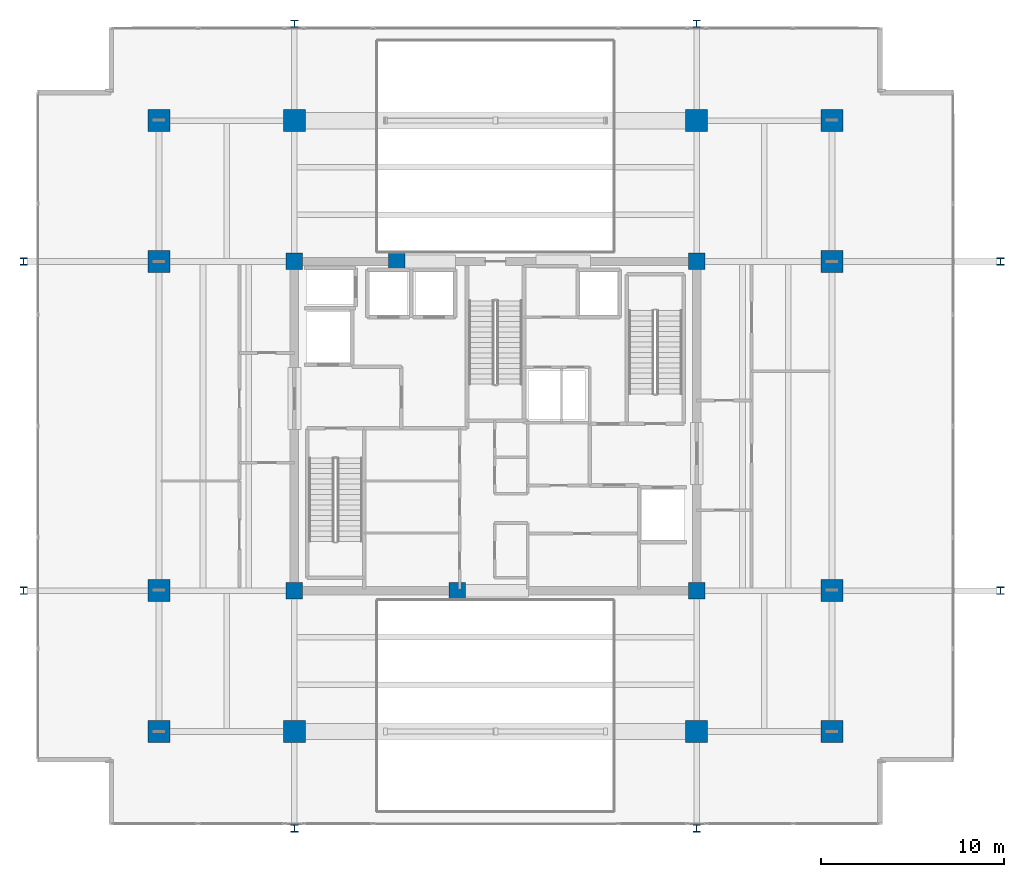
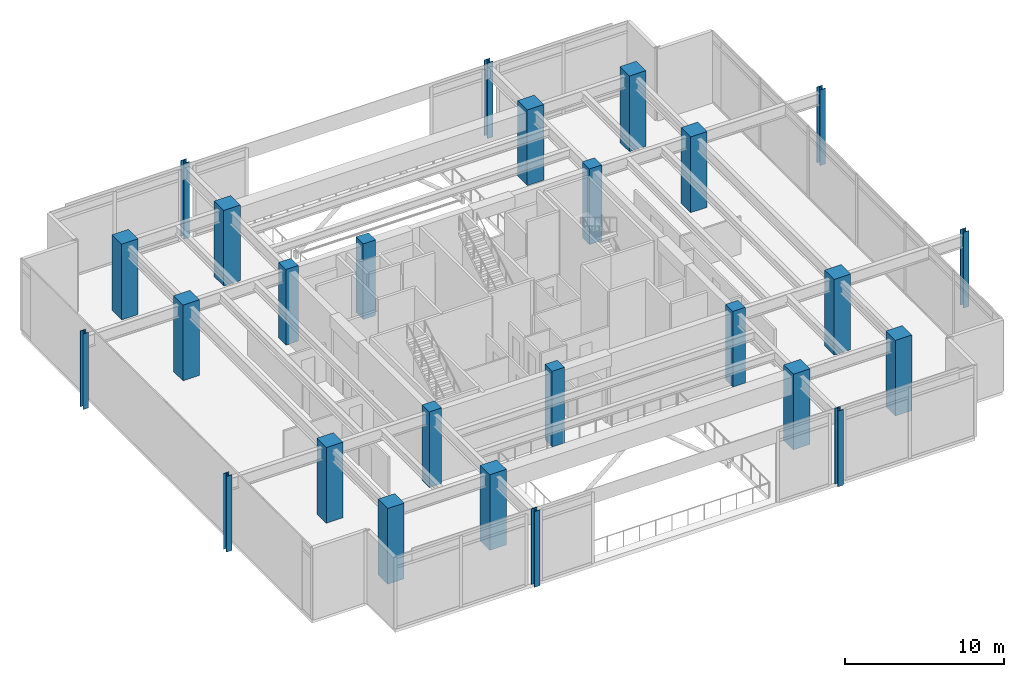
# One storey, part 1 of 25: 26 columns.
"""IFC4 building model written with IfcOpenShell, lengths in metres."""

from ifc_helpers import new_model, si_unit, direction, frame, origin, origin_2d, place, context, subcontext, project, spatial, rectangle, i_section, extrude, material, material_profile, profile_set, type_object, element, save


model = new_model("IFC4")

# Units and contexts
model_context = context("Model", 3, precision=1e-05, world=origin(), true_north=direction((0.0, 1.0)))
body_context = subcontext(model_context, "Body", "Model", "MODEL_VIEW")
ifc_project = project(units=[si_unit("LENGTHUNIT", "METRE"), si_unit("AREAUNIT", "SQUARE_METRE"), si_unit("VOLUMEUNIT", "CUBIC_METRE"), si_unit("PLANEANGLEUNIT", "RADIAN"), si_unit("MASSUNIT", "GRAM", prefix="KILO")], contexts=[model_context])

# Site, building, storey
site_placement = place(None, origin())
site = spatial("IfcSite", under=ifc_project, at=site_placement, CompositionType="ELEMENT")
building_placement = place(site_placement, origin())
building = spatial("IfcBuilding", under=site, at=building_placement, Name="Kovane Verandah Tower", CompositionType="ELEMENT")
storey_placement = place(building_placement, frame((0.0, 0.0, 295.199951171875)))
storey = spatial("IfcBuildingStorey", under=building, at=storey_placement, Name="L69", CompositionType="ELEMENT", Elevation=295.199951171875)

# Columns
ifc_material_1 = material(Name="Concrete C60/75", Category="concrete")
ifc_material_profile_1 = material_profile(ifc_material_1, rectangle(XDim=1.199951171875, YDim=1.199951171875, at=origin_2d()), Name="RC1200x1200")
ifc_profile_set_1 = profile_set([ifc_material_profile_1], Name="Concrete C60/75")
column_type_1 = type_object("IfcColumnType", Name="COL-RC1200", PredefinedType="COLUMN", material=ifc_profile_set_1)
for number, where, z_axis, x_axis, name in (
    (1, (29.0, 10.800048828125, 0.0), (0.0, 0.0, 1.0), (1.0, 0.0, 0.0), "L69 Tower Mega-Column MC-S1"),
    (2, (51.0, 10.800048828125, 0.0), (0.0, 0.0, 1.0), (1.0, 0.0, 0.0), "L69 Tower Mega-Column MC-S2"),
    (3, (29.0, 44.199951171875, 0.0), (0.0, 0.0, 1.0), (1.0, 0.0, 0.0), "L69 Tower Mega-Column MC-N1"),
    (4, (51.0, 44.199951171875, 0.0), (0.0, 0.0, 1.0), (1.0, 0.0, 0.0), "L69 Tower Mega-Column MC-N2"),
    (5, (21.60009765625, 18.5, 0.0), (0.0, 0.0, 1.0), (1.0, 0.0, 0.0), "L69 Tower Mega-Column MC-W1"),
    (6, (21.60009765625, 36.5, 0.0), (0.0, 0.0, 1.0), (1.0, 0.0, 0.0), "L69 Tower Mega-Column MC-W2"),
    (7, (58.39990234375, 18.5, 0.0), (0.0, 0.0, 1.0), (1.0, 0.0, 0.0), "L69 Tower Mega-Column MC-E1"),
    (8, (58.39990234375, 36.5, 0.0), (0.0, 0.0, 1.0), (1.0, 0.0, 0.0), "L69 Tower Mega-Column MC-E2"),
    (9, (21.60009765625, 10.800048828125, 0.0), (0.0, 0.0, 1.0), (1.0, 0.0, 0.0), "L69 Tower Mega-Column MC-SW"),
    (10, (58.39990234375, 10.800048828125, 0.0), (0.0, 0.0, 1.0), (1.0, 0.0, 0.0), "L69 Tower Mega-Column MC-SE"),
    (11, (21.60009765625, 44.199951171875, 0.0), (0.0, 0.0, 1.0), (1.0, 0.0, 0.0), "L69 Tower Mega-Column MC-NW"),
    (12, (58.39990234375, 44.199951171875, 0.0), (0.0, 0.0, 1.0), (1.0, 0.0, 0.0), "L69 Tower Mega-Column MC-NE"),
):
    element("IfcColumn", number, at=place(storey_placement, frame(where, z_axis=z_axis, x_axis=x_axis)), inside=storey, type_object=column_type_1, Name=name, PredefinedType="COLUMN", context=body_context, shape_type="SweptSolid", body=[
        extrude(rectangle(XDim=1.199951171875, YDim=1.199951171875, at=origin_2d()), origin(), (0.0, 0.0, 1.0), 5.800048828125),
    ])
ifc_material_2 = material(Name="Steel S460", Category="steel")
ifc_material_profile_2 = material_profile(ifc_material_2, i_section(OverallWidth=0.403076171875, OverallDepth=0.406494140625, WebThickness=0.026611328125, FlangeThickness=0.04296875, FilletRadius=0.01513671875, at=origin_2d()), Name="UC356x406x340")
ifc_profile_set_2 = profile_set([ifc_material_profile_2], Name="Steel S460")
column_type_2 = type_object("IfcColumnType", Name="COL-UC340", PredefinedType="COLUMN", material=ifc_profile_set_2)
for number, where, z_axis, x_axis, name in (
    (13, (14.199951171875, 18.5, 0.0), (0.0, 0.0, 1.0), (1.0, 0.0, 0.0), "L69 Verandah Perimeter Column VC-W1"),
    (14, (14.199951171875, 36.5, 0.0), (0.0, 0.0, 1.0), (1.0, 0.0, 0.0), "L69 Verandah Perimeter Column VC-W2"),
    (15, (67.60009765625, 18.5, 0.0), (0.0, 0.0, 1.0), (1.0, 0.0, 0.0), "L69 Verandah Perimeter Column VC-E1"),
    (16, (67.60009765625, 36.5, 0.0), (0.0, 0.0, 1.0), (1.0, 0.0, 0.0), "L69 Verandah Perimeter Column VC-E2"),
    (17, (29.0, 5.5, 0.0), (0.0, 0.0, 1.0), (1.0, 0.0, 0.0), "L69 Verandah Perimeter Column VC-S1"),
    (18, (51.0, 5.5, 0.0), (0.0, 0.0, 1.0), (1.0, 0.0, 0.0), "L69 Verandah Perimeter Column VC-S2"),
    (19, (29.0, 49.5, 0.0), (0.0, 0.0, 1.0), (1.0, 0.0, 0.0), "L69 Verandah Perimeter Column VC-N1"),
    (20, (51.0, 49.5, 0.0), (0.0, 0.0, 1.0), (1.0, 0.0, 0.0), "L69 Verandah Perimeter Column VC-N2"),
):
    element("IfcColumn", number, at=place(storey_placement, frame(where, z_axis=z_axis, x_axis=x_axis)), inside=storey, type_object=column_type_2, Name=name, PredefinedType="COLUMN", context=body_context, shape_type="SweptSolid", body=[
        extrude(i_section(OverallWidth=0.403076171875, OverallDepth=0.406494140625, WebThickness=0.026611328125, FlangeThickness=0.04296875, FilletRadius=0.01513671875, at=origin_2d()), origin(), (0.0, 0.0, 1.0), 5.800048828125),
    ])
ifc_material_profile_3 = material_profile(ifc_material_1, rectangle(XDim=0.89990234375, YDim=0.89990234375, at=origin_2d()), Name="RC900x900")
ifc_profile_set_3 = profile_set([ifc_material_profile_3], Name="Concrete C60/75")
column_type_3 = type_object("IfcColumnType", Name="PIL-RC900", PredefinedType="PILASTER", material=ifc_profile_set_3)
for number, where, z_axis, x_axis, name in (
    (21, (29.0, 18.5, 0.0), (0.0, 0.0, 1.0), (1.0, 0.0, 0.0), "L69 Core Pilaster CP-SW"),
    (22, (51.0, 18.5, 0.0), (0.0, 0.0, 1.0), (1.0, 0.0, 0.0), "L69 Core Pilaster CP-SE"),
    (23, (29.0, 36.5, 0.0), (0.0, 0.0, 1.0), (1.0, 0.0, 0.0), "L69 Core Pilaster CP-NW"),
    (24, (51.0, 36.5, 0.0), (0.0, 0.0, 1.0), (1.0, 0.0, 0.0), "L69 Core Pilaster CP-NE"),
    (25, (37.89990234375, 18.5, 0.0), (0.0, 0.0, 1.0), (1.0, 0.0, 0.0), "L69 Core Pilaster CP-S"),
    (26, (34.60009765625, 36.5, 0.0), (0.0, 0.0, 1.0), (1.0, 0.0, 0.0), "L69 Core Pilaster CP-N"),
):
    element("IfcColumn", number, at=place(storey_placement, frame(where, z_axis=z_axis, x_axis=x_axis)), inside=storey, type_object=column_type_3, Name=name, PredefinedType="PILASTER", context=body_context, shape_type="SweptSolid", body=[
        extrude(rectangle(XDim=0.89990234375, YDim=0.89990234375, at=origin_2d()), origin(), (0.0, 0.0, 1.0), 5.800048828125),
    ])

save(model, "model.ifc")
